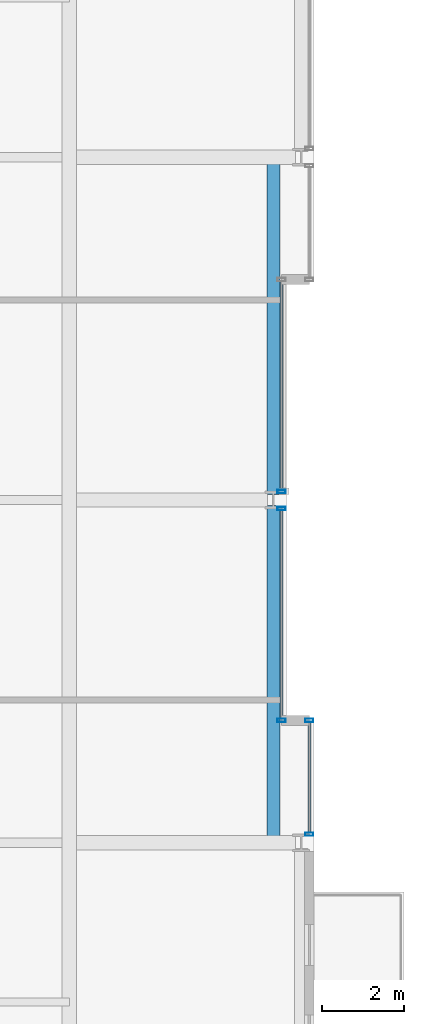
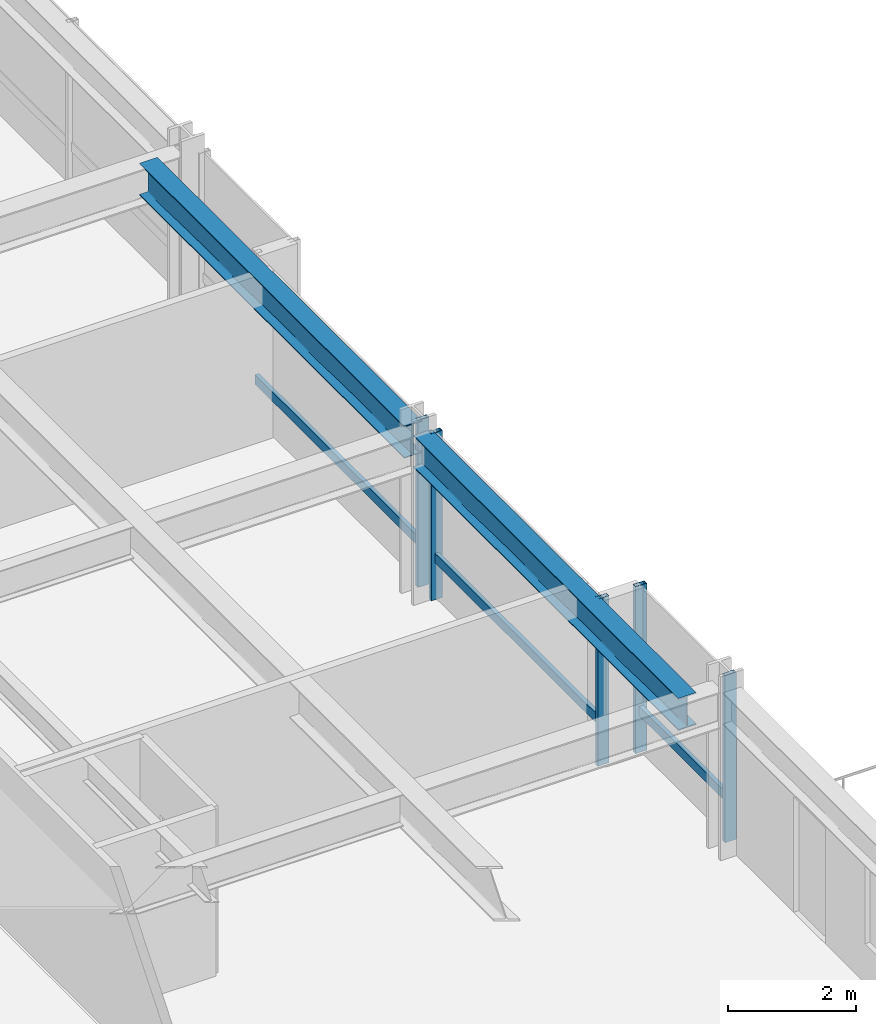
# One storey, part 15 of 35: 8 members, 2 beams, 3 elements without a shape of their own.
"""IFC4 building model written with IfcOpenShell, lengths in metres."""

from ifc_helpers import new_model, si_unit, direction, frame, origin, origin_2d, place, context, subcontext, project, spatial, hollow_rectangle, i_section, extrude, material, layer, layer_set, material_profile, profile_set, type_object, element, aggregate, save


model = new_model("IFC4")

# Units and contexts
model_context = context("Model", 3, precision=1e-05, world=origin(), true_north=direction((0.0, 1.0)))
body_context = subcontext(model_context, "Body", "Model", "MODEL_VIEW")
ifc_project = project(units=[si_unit("LENGTHUNIT", "METRE"), si_unit("AREAUNIT", "SQUARE_METRE"), si_unit("VOLUMEUNIT", "CUBIC_METRE"), si_unit("PLANEANGLEUNIT", "RADIAN"), si_unit("MASSUNIT", "GRAM", prefix="KILO")], contexts=[model_context])

# Site, building, storey
site_placement = place(None, origin())
site = spatial("IfcSite", under=ifc_project, at=site_placement, CompositionType="ELEMENT")
building_placement = place(site_placement, origin())
building = spatial("IfcBuilding", under=site, at=building_placement, Name="Drelvath Grand Hotel", CompositionType="ELEMENT")
storey_placement = place(building_placement, frame((0.0, 0.0, 137.300048828125)))
storey = spatial("IfcBuildingStorey", under=building, at=storey_placement, Name="L35", CompositionType="ELEMENT", Elevation=137.300048828125)

# Curtain wall, member
ifc_material_1 = material(Name="Champagne Bronze Anodised Aluminium Frame", Category="aluminium")
ifc_layer = layer(ifc_material_1, 0.199951171875)
ifc_layer_set = layer_set([ifc_layer], Name="Champagne Bronze Anodised Aluminium Frame")
curtain_wall_type = type_object("IfcCurtainWallType", Name="Stick Curtain Wall CW-03 Champagne Bronze Mid-Rise", PredefinedType="NOTDEFINED", material=ifc_layer_set)
curtain_wall_1_placement = place(storey_placement, origin())
curtain_wall_1 = element("IfcCurtainWall", 1, at=curtain_wall_1_placement, inside=storey, type_object=curtain_wall_type, Name="L35 CW-03 Curtain Wall CW03-L35-EM1", PredefinedType="NOTDEFINED")
ifc_material_profile_1 = material_profile(ifc_material_1, hollow_rectangle(XDim=0.074951171875, YDim=0.179931640625, WallThickness=0.0048828125, at=origin_2d()), Name="HSS180X75X5")
ifc_profile_set_1 = profile_set([ifc_material_profile_1], Name="Champagne Bronze Anodised Aluminium Frame")
member_type_1 = type_object("IfcMemberType", Name="Curtain Wall Horizontal Transom CW-03 HSS180X75X5", PredefinedType="USERDEFINED", material=ifc_profile_set_1)
member_1_placement = place(storey_placement, frame((21.39990234375, 26.75048828125, 0.794921875), z_axis=(0.0, -1.0, 0.0), x_axis=(1.0, 0.0, 0.0)))
member_1 = element("IfcMember", 2, at=member_1_placement, type_object=member_type_1, Name="CW03-L35-EM1 Sill Transom", ObjectType="TRANSOM", PredefinedType="USERDEFINED", context=body_context, shape_type="SweptSolid", body=[
    extrude(hollow_rectangle(XDim=0.074951171875, YDim=0.179931640625, WallThickness=0.0048828125, at=origin_2d()), origin(), (0.0, 0.0, 1.0), 5.110595703125),
])

curtain_wall_2_placement = place(storey_placement, origin())
curtain_wall_2 = element("IfcCurtainWall", 3, at=curtain_wall_2_placement, inside=storey, type_object=curtain_wall_type, Name="L35 CW-03 Curtain Wall CW03-L35-EM2", PredefinedType="NOTDEFINED")
member_2_placement = place(storey_placement, frame((21.39990234375, 32.360107421875, 0.794921875), z_axis=(0.0, -1.0, 0.0), x_axis=(1.0, 0.0, 0.0)))
member_2 = element("IfcMember", 4, at=member_2_placement, type_object=member_type_1, Name="CW03-L35-EM2 Sill Transom", ObjectType="TRANSOM", PredefinedType="USERDEFINED", context=body_context, shape_type="SweptSolid", body=[
    extrude(hollow_rectangle(XDim=0.074951171875, YDim=0.179931640625, WallThickness=0.0048828125, at=origin_2d()), origin(), (0.0, 0.0, 1.0), 5.110595703125),
])

curtain_wall_3_placement = place(storey_placement, origin())
curtain_wall_3 = element("IfcCurtainWall", 5, at=curtain_wall_3_placement, inside=storey, type_object=curtain_wall_type, Name="L35 CW-03 Curtain Wall CW03-L35-ES3", PredefinedType="NOTDEFINED")
member_3_placement = place(storey_placement, frame((22.080078125, 21.56005859375, 0.794921875), z_axis=(0.0, -1.0, 0.0), x_axis=(1.0, 0.0, 0.0)))
member_3 = element("IfcMember", 6, at=member_3_placement, type_object=member_type_1, Name="CW03-L35-ES3 Sill Transom", ObjectType="TRANSOM", PredefinedType="USERDEFINED", context=body_context, shape_type="SweptSolid", body=[
    extrude(hollow_rectangle(XDim=0.074951171875, YDim=0.179931640625, WallThickness=0.0048828125, at=origin_2d()), origin(), (0.0, 0.0, 1.0), 2.710693359375),
])

# Member
ifc_material_profile_2 = material_profile(ifc_material_1, hollow_rectangle(XDim=0.080078125, YDim=0.199951171875, WallThickness=0.0048828125, at=origin_2d()), Name="HSS200X80X5")
ifc_profile_set_2 = profile_set([ifc_material_profile_2], Name="Champagne Bronze Anodised Aluminium Frame")
member_type_2 = type_object("IfcMemberType", Name="Curtain Wall Vertical Mullion CW-03 HSS200X80X5", PredefinedType="MULLION", material=ifc_profile_set_2)
member_4_placement = place(storey_placement, frame((21.39990234375, 26.79052734375, 0.0), z_axis=(0.0, 0.0, 1.0), x_axis=(0.0, 1.0, 0.0)))
member_4 = element("IfcMember", 7, at=member_4_placement, type_object=member_type_2, Name="CW03-L35-EM1 Mullion 1", PredefinedType="MULLION", context=body_context, shape_type="SweptSolid", body=[
    extrude(hollow_rectangle(XDim=0.080078125, YDim=0.199951171875, WallThickness=0.0048828125, at=origin_2d()), origin(), (0.0, 0.0, 1.0), 3.179931640625),
])

member_5_placement = place(storey_placement, frame((21.39990234375, 21.60009765625, 0.0), z_axis=(0.0, 0.0, 1.0), x_axis=(0.0, 1.0, 0.0)))
member_5 = element("IfcMember", 8, at=member_5_placement, type_object=member_type_2, Name="CW03-L35-EM1 Mullion 2", PredefinedType="MULLION", context=body_context, shape_type="SweptSolid", body=[
    extrude(hollow_rectangle(XDim=0.080078125, YDim=0.199951171875, WallThickness=0.0048828125, at=origin_2d()), origin(), (0.0, 0.0, 1.0), 3.179931640625),
])

aggregate(curtain_wall_1, [member_4, member_5, member_1])

member_6_placement = place(storey_placement, frame((21.39990234375, 27.20947265625, 0.0), z_axis=(0.0, 0.0, 1.0), x_axis=(0.0, 1.0, 0.0)))
member_6 = element("IfcMember", 9, at=member_6_placement, type_object=member_type_2, Name="CW03-L35-EM2 Mullion 2", PredefinedType="MULLION", context=body_context, shape_type="SweptSolid", body=[
    extrude(hollow_rectangle(XDim=0.080078125, YDim=0.199951171875, WallThickness=0.0048828125, at=origin_2d()), origin(), (0.0, 0.0, 1.0), 3.179931640625),
])

aggregate(curtain_wall_2, [member_6, member_2])

member_7_placement = place(storey_placement, frame((22.080078125, 21.60009765625, 0.0), z_axis=(0.0, 0.0, 1.0), x_axis=(0.0, 1.0, 0.0)))
member_7 = element("IfcMember", 10, at=member_7_placement, type_object=member_type_2, Name="CW03-L35-ES3 Mullion 1", PredefinedType="MULLION", context=body_context, shape_type="SweptSolid", body=[
    extrude(hollow_rectangle(XDim=0.080078125, YDim=0.199951171875, WallThickness=0.0048828125, at=origin_2d()), origin(), (0.0, 0.0, 1.0), 3.179931640625),
])

member_8_placement = place(storey_placement, frame((22.080078125, 18.809326171875, 0.0), z_axis=(0.0, 0.0, 1.0), x_axis=(0.0, 1.0, 0.0)))
member_8 = element("IfcMember", 11, at=member_8_placement, type_object=member_type_2, Name="CW03-L35-ES3 Mullion 2", PredefinedType="MULLION", context=body_context, shape_type="SweptSolid", body=[
    extrude(hollow_rectangle(XDim=0.080078125, YDim=0.199951171875, WallThickness=0.0048828125, at=origin_2d()), origin(), (0.0, 0.0, 1.0), 3.179931640625),
])

aggregate(curtain_wall_3, [member_7, member_8, member_3])

# Beams
ifc_material_2 = material(Name="Steel ASTM A992 Gr 50", Category="steel")
ifc_material_profile_3 = material_profile(ifc_material_2, i_section(OverallWidth=0.323974609375, OverallDepth=0.611083984375, WebThickness=0.0126953125, FlangeThickness=0.01904296875, FilletRadius=0.02197265625, at=origin_2d()), Name="W24X104")
ifc_profile_set_3 = profile_set([ifc_material_profile_3], Name="Steel ASTM A992 Gr 50")
beam_type = type_object("IfcBeamType", Name="Perimeter Spandrel Beam W24X104", PredefinedType="SPANDREL", material=ifc_profile_set_3)
for number, where, z_axis, x_axis, name in (
    (12, (21.199951171875, 18.60009765625, 2.874267578125), (0.0, 1.0, 0.0), (-1.0, 0.0, 0.0), "L35 Spandrel East Mid S"),
    (13, (21.199951171875, 27.139892578125, 2.874267578125), (0.0, 1.0, 0.0), (-1.0, 0.0, 0.0), "L35 Spandrel East Mid N"),
):
    element("IfcBeam", number, at=place(storey_placement, frame(where, z_axis=z_axis, x_axis=x_axis)), inside=storey, type_object=beam_type, Name=name, PredefinedType="SPANDREL", context=body_context, shape_type="SweptSolid", body=[
        extrude(i_section(OverallWidth=0.323974609375, OverallDepth=0.611083984375, WebThickness=0.0126953125, FlangeThickness=0.01904296875, FilletRadius=0.02197265625, at=origin_2d()), origin(), (0.0, 0.0, 1.0), 8.260009765625),
    ])

save(model, "model.ifc")
